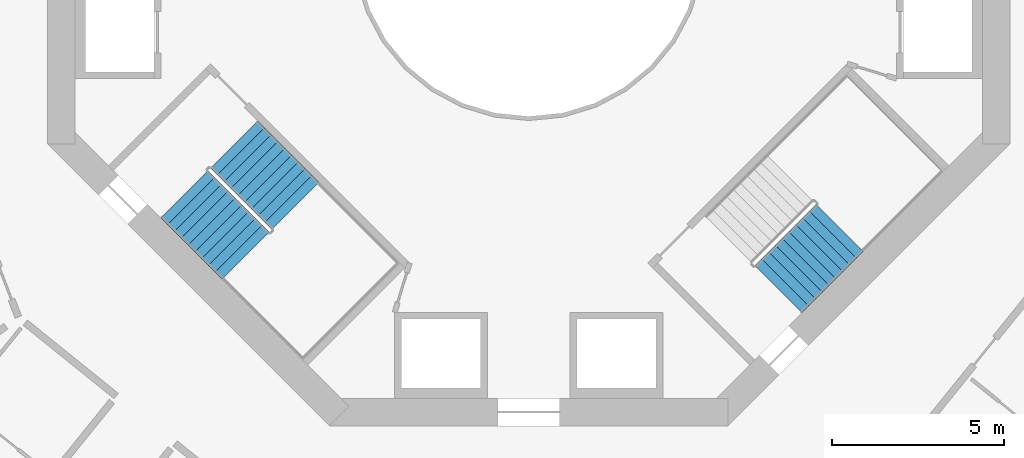
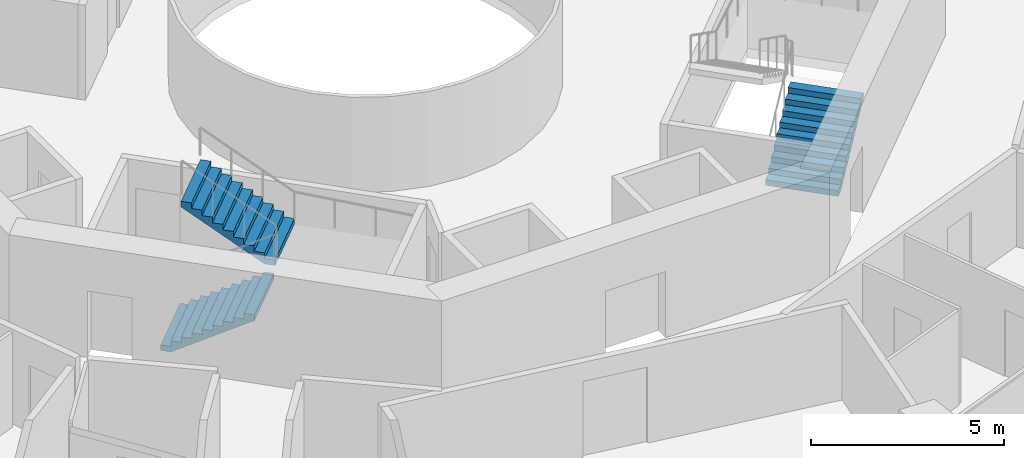
# One storey, part 21 of 23: 3 stair flights, 2 elements without a shape of their own.
"""IFC4 building model written with IfcOpenShell, lengths in metres."""

from ifc_helpers import new_model, si_unit, direction, frame, origin, place, context, subcontext, project, spatial, triangles, material, type_object, element, aggregate, save


model = new_model("IFC4")

# Units and contexts
model_context = context("Model", 3, precision=1e-05, world=origin(), true_north=direction((0.0, 1.0)))
body_context = subcontext(model_context, "Body", "Model", "MODEL_VIEW")
ifc_project = project(units=[si_unit("LENGTHUNIT", "METRE"), si_unit("AREAUNIT", "SQUARE_METRE"), si_unit("VOLUMEUNIT", "CUBIC_METRE"), si_unit("PLANEANGLEUNIT", "RADIAN"), si_unit("MASSUNIT", "GRAM", prefix="KILO")], contexts=[model_context])

# Site, building, storey
site_placement = place(None, origin())
site = spatial("IfcSite", under=ifc_project, at=site_placement, CompositionType="ELEMENT")
building_placement = place(site_placement, origin())
building = spatial("IfcBuilding", under=site, at=building_placement, Name="Verdalira Terraces Hotel", CompositionType="ELEMENT")
storey_placement = place(building_placement, frame((0.0, 0.0, 118.5)))
storey = spatial("IfcBuildingStorey", under=building, at=storey_placement, Name="L28", CompositionType="ELEMENT", Elevation=118.5)

# Stair, stair flights
ifc_material_1 = material(Name="Concrete C40", Category="concrete")
stair_type = type_object("IfcStairType", Name="Core stair 20 risers 1950 mm wide", PredefinedType="HALF_TURN_STAIR", material=ifc_material_1)
stair_1_placement = place(storey_placement, origin())
stair_1 = element("IfcStair", 1, at=stair_1_placement, inside=storey, type_object=stair_type, Name="L28 Exit stair ST2", PredefinedType="HALF_TURN_STAIR")
ifc_material_2 = material(Name="Concrete C40", Category="concrete")
stair_flight_type = type_object("IfcStairFlightType", Name="Core stair flight 20 risers 1950 mm wide", PredefinedType="STRAIGHT", material=ifc_material_2)
stair_flight_1_placement = place(storey_placement, frame((-10.023193, -7.265625, 0.0), z_axis=(0.0, 0.0, 1.0), x_axis=(0.707106781, -0.707106781, 0.0)))
stair_flight_1 = element("IfcStairFlight", 2, at=stair_flight_1_placement, type_object=stair_flight_type, Name="ST2 flight 1", NumberOfRisers=10, NumberOfTreads=9, PredefinedType="STRAIGHT", RiserHeight=0.175, TreadLength=0.28, context=body_context, shape_type="Tessellation", body=[
    triangles([(0.0, 0.974976, 0.0), (0.282715, 0.974976, 0.0), (2.52002, 0.974976, 1.398193), (0.0, -0.974976, 0.0), (0.282715, -0.974976, 0.0), (2.52002, -0.974976, 1.398193), (2.52002, 0.974976, 1.574951), (2.23999, 0.974976, 1.574951), (2.52002, -0.974976, 1.574951), (2.23999, -0.974976, 1.574951), (2.23999, 0.974976, 1.399902), (2.23999, -0.974976, 1.399902), (1.959961, 0.974976, 1.399902), (1.959961, -0.974976, 1.399902), (1.959961, 0.974976, 1.225098), (1.959961, -0.974976, 1.225098), (1.679932, 0.974976, 1.225098), (1.679932, 0.974976, 1.050049), (1.679932, -0.974976, 1.225098), (1.679932, -0.974976, 1.050049), (1.399902, 0.974976, 1.050049), (1.399902, 0.974976, 0.875), (1.399902, -0.974976, 1.050049), (1.399902, -0.974976, 0.875), (1.120117, 0.974976, 0.875), (1.120117, 0.974976, 0.699951), (1.120117, -0.974976, 0.875), (1.120117, -0.974976, 0.699951), (0.840088, 0.974976, 0.699951), (0.840088, 0.974976, 0.524902), (0.840088, -0.974976, 0.699951), (0.840088, -0.974976, 0.524902), (0.560059, 0.974976, 0.524902), (0.560059, 0.974976, 0.350098), (0.560059, -0.974976, 0.524902), (0.560059, -0.974976, 0.350098), (0.280029, 0.974976, 0.350098), (0.280029, 0.974976, 0.175049), (0.280029, -0.974976, 0.350098), (0.280029, -0.974976, 0.175049), (0.0, 0.974976, 0.175049), (0.0, -0.974976, 0.175049), (0.0, -0.91404, 0.0), (0.0, -0.91404, 0.175049), (0.0, -0.853104, 0.0), (0.0, -0.853104, 0.175049), (0.0, -0.792168, 0.0), (0.0, -0.792168, 0.175049), (0.0, -0.731232, 0.0), (0.0, -0.731232, 0.175049), (0.0, -0.670296, 0.0), (0.0, -0.670296, 0.175049), (0.0, -0.60936, 0.0), (0.0, -0.60936, 0.175049), (0.0, -0.548424, 0.0), (0.0, -0.548424, 0.175049), (0.0, -0.487488, 0.0), (0.0, -0.487488, 0.175049), (0.0, -0.426552, 0.0), (0.0, -0.426552, 0.175049), (0.0, -0.365616, 0.0), (0.0, -0.365616, 0.175049), (0.0, -0.30468, 0.0), (0.0, -0.30468, 0.175049), (0.0, -0.243744, 0.0), (0.0, -0.243744, 0.175049), (0.0, -0.182808, 0.0), (0.0, -0.182808, 0.175049), (0.0, -0.121872, 0.0), (0.0, -0.121872, 0.175049), (0.0, -0.060936, 0.0), (0.0, -0.060936, 0.175049), (0.0, 0.0, 0.0), (0.0, 0.0, 0.175049), (0.0, 0.060936, 0.0), (0.0, 0.060936, 0.175049), (0.0, 0.121872, 0.0), (0.0, 0.121872, 0.175049), (0.0, 0.182808, 0.0), (0.0, 0.182808, 0.175049), (0.0, 0.243744, 0.0), (0.0, 0.243744, 0.175049), (0.0, 0.30468, 0.0), (0.0, 0.30468, 0.175049), (0.0, 0.365616, 0.0), (0.0, 0.365616, 0.175049), (0.0, 0.426552, 0.0), (0.0, 0.426552, 0.175049), (0.0, 0.487488, 0.0), (0.0, 0.487488, 0.175049), (0.0, 0.548424, 0.0), (0.0, 0.548424, 0.175049), (0.0, 0.60936, 0.0), (0.0, 0.60936, 0.175049), (0.0, 0.670296, 0.0), (0.0, 0.670296, 0.175049), (0.0, 0.731232, 0.0), (0.0, 0.731232, 0.175049), (0.0, 0.792168, 0.0), (0.0, 0.792168, 0.175049), (0.0, 0.853104, 0.0), (0.0, 0.853104, 0.175049), (0.0, 0.91404, 0.0), (0.0, 0.91404, 0.175049), (2.52002, -0.91404, 1.574951), (2.52002, -0.853104, 1.574951), (2.52002, -0.792168, 1.574951), (2.52002, -0.731232, 1.574951), (2.52002, -0.670296, 1.574951), (2.52002, -0.60936, 1.574951), (2.52002, -0.548424, 1.574951), (2.52002, -0.487488, 1.574951), (2.52002, -0.426552, 1.574951), (2.52002, -0.365616, 1.574951), (2.52002, -0.30468, 1.574951), (2.52002, -0.243744, 1.574951), (2.52002, -0.182808, 1.574951), (2.52002, -0.121872, 1.574951), (2.52002, -0.060936, 1.574951), (2.52002, 0.0, 1.574951), (2.52002, 0.060936, 1.574951), (2.52002, 0.121872, 1.574951), (2.52002, 0.182808, 1.574951), (2.52002, 0.243744, 1.574951), (2.52002, 0.30468, 1.574951), (2.52002, 0.365616, 1.574951), (2.52002, 0.426552, 1.574951), (2.52002, 0.487488, 1.574951), (2.52002, 0.548424, 1.574951), (2.52002, 0.60936, 1.574951), (2.52002, 0.670296, 1.574951), (2.52002, 0.731232, 1.574951), (2.52002, 0.792168, 1.574951), (2.52002, 0.853104, 1.574951), (2.52002, 0.91404, 1.574951), (2.52002, -0.91404, 1.398193), (2.52002, -0.853104, 1.398193), (2.52002, -0.792168, 1.398193), (2.52002, -0.731232, 1.398193), (2.52002, -0.670296, 1.398193), (2.52002, -0.60936, 1.398193), (2.52002, -0.548424, 1.398193), (2.52002, -0.487488, 1.398193), (2.52002, -0.426552, 1.398193), (2.52002, -0.365616, 1.398193), (2.52002, -0.30468, 1.398193), (2.52002, -0.243744, 1.398193), (2.52002, -0.182808, 1.398193), (2.52002, -0.121872, 1.398193), (2.52002, -0.060936, 1.398193), (2.52002, 0.0, 1.398193), (2.52002, 0.060936, 1.398193), (2.52002, 0.121872, 1.398193), (2.52002, 0.182808, 1.398193), (2.52002, 0.243744, 1.398193), (2.52002, 0.30468, 1.398193), (2.52002, 0.365616, 1.398193), (2.52002, 0.426552, 1.398193), (2.52002, 0.487488, 1.398193), (2.52002, 0.548424, 1.398193), (2.52002, 0.60936, 1.398193), (2.52002, 0.670296, 1.398193), (2.52002, 0.731232, 1.398193), (2.52002, 0.792168, 1.398193), (2.52002, 0.853104, 1.398193), (2.52002, 0.91404, 1.398193)], [[1, 3, 2], [4, 5, 6], [3, 8, 7], [6, 9, 10], [3, 11, 8], [6, 10, 12], [3, 13, 11], [6, 12, 14], [3, 15, 13], [6, 14, 16], [15, 18, 17], [16, 19, 20], [3, 18, 15], [6, 16, 20], [18, 22, 21], [20, 23, 24], [3, 22, 18], [6, 20, 24], [22, 26, 25], [24, 27, 28], [3, 26, 22], [6, 24, 28], [26, 30, 29], [28, 31, 32], [3, 30, 26], [6, 28, 32], [1, 30, 3], [4, 6, 32], [30, 34, 33], [32, 35, 36], [34, 38, 37], [36, 39, 40], [30, 38, 34], [32, 36, 40], [1, 38, 30], [4, 32, 40], [38, 1, 41], [40, 42, 4], [4, 44, 43], [4, 42, 44], [43, 46, 45], [43, 44, 46], [45, 48, 47], [45, 46, 48], [47, 50, 49], [47, 48, 50], [49, 52, 51], [49, 50, 52], [51, 54, 53], [51, 52, 54], [53, 56, 55], [53, 54, 56], [55, 58, 57], [55, 56, 58], [57, 60, 59], [57, 58, 60], [59, 62, 61], [59, 60, 62], [61, 64, 63], [61, 62, 64], [63, 66, 65], [63, 64, 66], [65, 68, 67], [65, 66, 68], [67, 70, 69], [67, 68, 70], [69, 72, 71], [69, 70, 72], [71, 74, 73], [71, 72, 74], [73, 76, 75], [73, 74, 76], [75, 78, 77], [75, 76, 78], [77, 80, 79], [77, 78, 80], [79, 82, 81], [79, 80, 82], [81, 84, 83], [81, 82, 84], [83, 86, 85], [83, 84, 86], [85, 88, 87], [85, 86, 88], [87, 90, 89], [87, 88, 90], [89, 92, 91], [89, 90, 92], [91, 94, 93], [91, 92, 94], [93, 96, 95], [93, 94, 96], [95, 98, 97], [95, 96, 98], [97, 100, 99], [97, 98, 100], [99, 102, 101], [99, 100, 102], [101, 104, 103], [101, 102, 104], [103, 41, 1], [103, 104, 41], [42, 40, 44], [44, 40, 46], [46, 40, 48], [48, 40, 50], [50, 40, 52], [52, 40, 54], [54, 40, 56], [56, 40, 58], [58, 40, 60], [60, 40, 62], [62, 40, 64], [64, 40, 66], [66, 40, 68], [68, 40, 70], [70, 40, 72], [72, 40, 74], [74, 40, 76], [76, 40, 78], [78, 40, 80], [80, 40, 82], [82, 40, 84], [84, 40, 86], [86, 40, 88], [88, 40, 90], [90, 40, 92], [92, 40, 94], [94, 40, 96], [96, 40, 98], [98, 40, 100], [100, 40, 102], [102, 40, 104], [104, 40, 41], [41, 40, 38], [40, 37, 38], [40, 39, 37], [39, 34, 37], [39, 36, 34], [36, 33, 34], [36, 35, 33], [35, 30, 33], [35, 32, 30], [32, 29, 30], [32, 31, 29], [31, 26, 29], [31, 28, 26], [28, 25, 26], [28, 27, 25], [27, 22, 25], [27, 24, 22], [24, 21, 22], [24, 23, 21], [23, 18, 21], [23, 20, 18], [20, 17, 18], [20, 19, 17], [19, 15, 17], [19, 16, 15], [16, 13, 15], [16, 14, 13], [14, 11, 13], [14, 12, 11], [12, 8, 11], [12, 10, 8], [9, 105, 10], [105, 106, 10], [106, 107, 10], [107, 108, 10], [108, 109, 10], [109, 110, 10], [110, 111, 10], [111, 112, 10], [112, 113, 10], [113, 114, 10], [114, 115, 10], [115, 116, 10], [116, 117, 10], [117, 118, 10], [118, 119, 10], [119, 120, 10], [120, 121, 10], [121, 122, 10], [122, 123, 10], [123, 124, 10], [124, 125, 10], [125, 126, 10], [126, 127, 10], [127, 128, 10], [128, 129, 10], [129, 130, 10], [130, 131, 10], [131, 132, 10], [132, 133, 10], [133, 134, 10], [134, 135, 10], [135, 7, 10], [7, 8, 10], [9, 136, 105], [9, 6, 136], [105, 137, 106], [105, 136, 137], [106, 138, 107], [106, 137, 138], [107, 139, 108], [107, 138, 139], [108, 140, 109], [108, 139, 140], [109, 141, 110], [109, 140, 141], [110, 142, 111], [110, 141, 142], [111, 143, 112], [111, 142, 143], [112, 144, 113], [112, 143, 144], [113, 145, 114], [113, 144, 145], [114, 146, 115], [114, 145, 146], [115, 147, 116], [115, 146, 147], [116, 148, 117], [116, 147, 148], [117, 149, 118], [117, 148, 149], [118, 150, 119], [118, 149, 150], [119, 151, 120], [119, 150, 151], [120, 152, 121], [120, 151, 152], [121, 153, 122], [121, 152, 153], [122, 154, 123], [122, 153, 154], [123, 155, 124], [123, 154, 155], [124, 156, 125], [124, 155, 156], [125, 157, 126], [125, 156, 157], [126, 158, 127], [126, 157, 158], [127, 159, 128], [127, 158, 159], [128, 160, 129], [128, 159, 160], [129, 161, 130], [129, 160, 161], [130, 162, 131], [130, 161, 162], [131, 163, 132], [131, 162, 163], [132, 164, 133], [132, 163, 164], [133, 165, 134], [133, 164, 165], [134, 166, 135], [134, 165, 166], [135, 3, 7], [135, 166, 3], [6, 5, 136], [136, 5, 137], [137, 5, 138], [138, 5, 139], [139, 5, 140], [140, 5, 141], [141, 5, 142], [142, 5, 143], [143, 5, 144], [144, 5, 145], [145, 5, 146], [146, 5, 147], [147, 5, 148], [148, 5, 149], [149, 5, 150], [150, 5, 151], [151, 5, 152], [152, 5, 153], [153, 5, 154], [154, 5, 155], [155, 5, 156], [156, 5, 157], [157, 5, 158], [158, 5, 159], [159, 5, 160], [160, 5, 161], [161, 5, 162], [162, 5, 163], [163, 5, 164], [164, 5, 165], [165, 5, 166], [166, 5, 3], [3, 5, 2], [4, 43, 5], [43, 45, 5], [45, 47, 5], [47, 49, 5], [49, 51, 5], [51, 53, 5], [53, 55, 5], [55, 57, 5], [57, 59, 5], [59, 61, 5], [61, 63, 5], [63, 65, 5], [65, 67, 5], [67, 69, 5], [69, 71, 5], [71, 73, 5], [73, 75, 5], [75, 77, 5], [77, 79, 5], [79, 81, 5], [81, 83, 5], [83, 85, 5], [85, 87, 5], [87, 89, 5], [89, 91, 5], [91, 93, 5], [93, 95, 5], [95, 97, 5], [97, 99, 5], [99, 101, 5], [101, 103, 5], [103, 1, 5], [1, 2, 5]], closed=True),
])
stair_flight_2_placement = place(storey_placement, frame((-6.791748, -7.5979, 1.75), z_axis=(0.0, 0.0, 1.0), x_axis=(-0.707106781, 0.707106781, 0.0)))
stair_flight_2 = element("IfcStairFlight", 3, at=stair_flight_2_placement, type_object=stair_flight_type, Name="ST2 flight 2", NumberOfRisers=10, NumberOfTreads=9, PredefinedType="STRAIGHT", RiserHeight=0.175, TreadLength=0.28, context=body_context, shape_type="Tessellation", body=[
    triangles([(0.0, 0.974976, 0.0), (0.282715, 0.974976, 0.0), (2.52002, 0.974976, 1.398193), (0.0, -0.974976, 0.0), (0.282715, -0.974976, 0.0), (2.52002, -0.974976, 1.398193), (2.52002, 0.974976, 1.574951), (2.23999, 0.974976, 1.574951), (2.52002, -0.974976, 1.574951), (2.23999, -0.974976, 1.574951), (2.23999, 0.974976, 1.399902), (2.23999, -0.974976, 1.399902), (1.959961, 0.974976, 1.399902), (1.959961, -0.974976, 1.399902), (1.959961, 0.974976, 1.225098), (1.959961, -0.974976, 1.225098), (1.679932, 0.974976, 1.225098), (1.679932, 0.974976, 1.050049), (1.679932, -0.974976, 1.225098), (1.679932, -0.974976, 1.050049), (1.399902, 0.974976, 1.050049), (1.399902, 0.974976, 0.875), (1.399902, -0.974976, 1.050049), (1.399902, -0.974976, 0.875), (1.120117, 0.974976, 0.875), (1.120117, 0.974976, 0.699951), (1.120117, -0.974976, 0.875), (1.120117, -0.974976, 0.699951), (0.840088, 0.974976, 0.699951), (0.840088, 0.974976, 0.524902), (0.840088, -0.974976, 0.699951), (0.840088, -0.974976, 0.524902), (0.560059, 0.974976, 0.524902), (0.560059, 0.974976, 0.350098), (0.560059, -0.974976, 0.524902), (0.560059, -0.974976, 0.350098), (0.280029, 0.974976, 0.350098), (0.280029, 0.974976, 0.175049), (0.280029, -0.974976, 0.350098), (0.280029, -0.974976, 0.175049), (0.0, 0.974976, 0.175049), (0.0, -0.974976, 0.175049), (0.0, -0.91404, 0.0), (0.0, -0.91404, 0.175049), (0.0, -0.853104, 0.0), (0.0, -0.853104, 0.175049), (0.0, -0.792168, 0.0), (0.0, -0.792168, 0.175049), (0.0, -0.731232, 0.0), (0.0, -0.731232, 0.175049), (0.0, -0.670296, 0.0), (0.0, -0.670296, 0.175049), (0.0, -0.60936, 0.0), (0.0, -0.60936, 0.175049), (0.0, -0.548424, 0.0), (0.0, -0.548424, 0.175049), (0.0, -0.487488, 0.0), (0.0, -0.487488, 0.175049), (0.0, -0.426552, 0.0), (0.0, -0.426552, 0.175049), (0.0, -0.365616, 0.0), (0.0, -0.365616, 0.175049), (0.0, -0.30468, 0.0), (0.0, -0.30468, 0.175049), (0.0, -0.243744, 0.0), (0.0, -0.243744, 0.175049), (0.0, -0.182808, 0.0), (0.0, -0.182808, 0.175049), (0.0, -0.121872, 0.0), (0.0, -0.121872, 0.175049), (0.0, -0.060936, 0.0), (0.0, -0.060936, 0.175049), (0.0, 0.0, 0.0), (0.0, 0.0, 0.175049), (0.0, 0.060936, 0.0), (0.0, 0.060936, 0.175049), (0.0, 0.121872, 0.0), (0.0, 0.121872, 0.175049), (0.0, 0.182808, 0.0), (0.0, 0.182808, 0.175049), (0.0, 0.243744, 0.0), (0.0, 0.243744, 0.175049), (0.0, 0.30468, 0.0), (0.0, 0.30468, 0.175049), (0.0, 0.365616, 0.0), (0.0, 0.365616, 0.175049), (0.0, 0.426552, 0.0), (0.0, 0.426552, 0.175049), (0.0, 0.487488, 0.0), (0.0, 0.487488, 0.175049), (0.0, 0.548424, 0.0), (0.0, 0.548424, 0.175049), (0.0, 0.60936, 0.0), (0.0, 0.60936, 0.175049), (0.0, 0.670296, 0.0), (0.0, 0.670296, 0.175049), (0.0, 0.731232, 0.0), (0.0, 0.731232, 0.175049), (0.0, 0.792168, 0.0), (0.0, 0.792168, 0.175049), (0.0, 0.853104, 0.0), (0.0, 0.853104, 0.175049), (0.0, 0.91404, 0.0), (0.0, 0.91404, 0.175049), (2.52002, -0.91404, 1.574951), (2.52002, -0.853104, 1.574951), (2.52002, -0.792168, 1.574951), (2.52002, -0.731232, 1.574951), (2.52002, -0.670296, 1.574951), (2.52002, -0.60936, 1.574951), (2.52002, -0.548424, 1.574951), (2.52002, -0.487488, 1.574951), (2.52002, -0.426552, 1.574951), (2.52002, -0.365616, 1.574951), (2.52002, -0.30468, 1.574951), (2.52002, -0.243744, 1.574951), (2.52002, -0.182808, 1.574951), (2.52002, -0.121872, 1.574951), (2.52002, -0.060936, 1.574951), (2.52002, 0.0, 1.574951), (2.52002, 0.060936, 1.574951), (2.52002, 0.121872, 1.574951), (2.52002, 0.182808, 1.574951), (2.52002, 0.243744, 1.574951), (2.52002, 0.30468, 1.574951), (2.52002, 0.365616, 1.574951), (2.52002, 0.426552, 1.574951), (2.52002, 0.487488, 1.574951), (2.52002, 0.548424, 1.574951), (2.52002, 0.60936, 1.574951), (2.52002, 0.670296, 1.574951), (2.52002, 0.731232, 1.574951), (2.52002, 0.792168, 1.574951), (2.52002, 0.853104, 1.574951), (2.52002, 0.91404, 1.574951), (2.52002, -0.91404, 1.398193), (2.52002, -0.853104, 1.398193), (2.52002, -0.792168, 1.398193), (2.52002, -0.731232, 1.398193), (2.52002, -0.670296, 1.398193), (2.52002, -0.60936, 1.398193), (2.52002, -0.548424, 1.398193), (2.52002, -0.487488, 1.398193), (2.52002, -0.426552, 1.398193), (2.52002, -0.365616, 1.398193), (2.52002, -0.30468, 1.398193), (2.52002, -0.243744, 1.398193), (2.52002, -0.182808, 1.398193), (2.52002, -0.121872, 1.398193), (2.52002, -0.060936, 1.398193), (2.52002, 0.0, 1.398193), (2.52002, 0.060936, 1.398193), (2.52002, 0.121872, 1.398193), (2.52002, 0.182808, 1.398193), (2.52002, 0.243744, 1.398193), (2.52002, 0.30468, 1.398193), (2.52002, 0.365616, 1.398193), (2.52002, 0.426552, 1.398193), (2.52002, 0.487488, 1.398193), (2.52002, 0.548424, 1.398193), (2.52002, 0.60936, 1.398193), (2.52002, 0.670296, 1.398193), (2.52002, 0.731232, 1.398193), (2.52002, 0.792168, 1.398193), (2.52002, 0.853104, 1.398193), (2.52002, 0.91404, 1.398193)], [[1, 3, 2], [4, 5, 6], [3, 8, 7], [6, 9, 10], [3, 11, 8], [6, 10, 12], [3, 13, 11], [6, 12, 14], [3, 15, 13], [6, 14, 16], [15, 18, 17], [16, 19, 20], [3, 18, 15], [6, 16, 20], [18, 22, 21], [20, 23, 24], [3, 22, 18], [6, 20, 24], [22, 26, 25], [24, 27, 28], [3, 26, 22], [6, 24, 28], [26, 30, 29], [28, 31, 32], [3, 30, 26], [6, 28, 32], [1, 30, 3], [4, 6, 32], [30, 34, 33], [32, 35, 36], [34, 38, 37], [36, 39, 40], [30, 38, 34], [32, 36, 40], [1, 38, 30], [4, 32, 40], [38, 1, 41], [40, 42, 4], [4, 44, 43], [4, 42, 44], [43, 46, 45], [43, 44, 46], [45, 48, 47], [45, 46, 48], [47, 50, 49], [47, 48, 50], [49, 52, 51], [49, 50, 52], [51, 54, 53], [51, 52, 54], [53, 56, 55], [53, 54, 56], [55, 58, 57], [55, 56, 58], [57, 60, 59], [57, 58, 60], [59, 62, 61], [59, 60, 62], [61, 64, 63], [61, 62, 64], [63, 66, 65], [63, 64, 66], [65, 68, 67], [65, 66, 68], [67, 70, 69], [67, 68, 70], [69, 72, 71], [69, 70, 72], [71, 74, 73], [71, 72, 74], [73, 76, 75], [73, 74, 76], [75, 78, 77], [75, 76, 78], [77, 80, 79], [77, 78, 80], [79, 82, 81], [79, 80, 82], [81, 84, 83], [81, 82, 84], [83, 86, 85], [83, 84, 86], [85, 88, 87], [85, 86, 88], [87, 90, 89], [87, 88, 90], [89, 92, 91], [89, 90, 92], [91, 94, 93], [91, 92, 94], [93, 96, 95], [93, 94, 96], [95, 98, 97], [95, 96, 98], [97, 100, 99], [97, 98, 100], [99, 102, 101], [99, 100, 102], [101, 104, 103], [101, 102, 104], [103, 41, 1], [103, 104, 41], [42, 40, 44], [44, 40, 46], [46, 40, 48], [48, 40, 50], [50, 40, 52], [52, 40, 54], [54, 40, 56], [56, 40, 58], [58, 40, 60], [60, 40, 62], [62, 40, 64], [64, 40, 66], [66, 40, 68], [68, 40, 70], [70, 40, 72], [72, 40, 74], [74, 40, 76], [76, 40, 78], [78, 40, 80], [80, 40, 82], [82, 40, 84], [84, 40, 86], [86, 40, 88], [88, 40, 90], [90, 40, 92], [92, 40, 94], [94, 40, 96], [96, 40, 98], [98, 40, 100], [100, 40, 102], [102, 40, 104], [104, 40, 41], [41, 40, 38], [40, 37, 38], [40, 39, 37], [39, 34, 37], [39, 36, 34], [36, 33, 34], [36, 35, 33], [35, 30, 33], [35, 32, 30], [32, 29, 30], [32, 31, 29], [31, 26, 29], [31, 28, 26], [28, 25, 26], [28, 27, 25], [27, 22, 25], [27, 24, 22], [24, 21, 22], [24, 23, 21], [23, 18, 21], [23, 20, 18], [20, 17, 18], [20, 19, 17], [19, 15, 17], [19, 16, 15], [16, 13, 15], [16, 14, 13], [14, 11, 13], [14, 12, 11], [12, 8, 11], [12, 10, 8], [9, 105, 10], [105, 106, 10], [106, 107, 10], [107, 108, 10], [108, 109, 10], [109, 110, 10], [110, 111, 10], [111, 112, 10], [112, 113, 10], [113, 114, 10], [114, 115, 10], [115, 116, 10], [116, 117, 10], [117, 118, 10], [118, 119, 10], [119, 120, 10], [120, 121, 10], [121, 122, 10], [122, 123, 10], [123, 124, 10], [124, 125, 10], [125, 126, 10], [126, 127, 10], [127, 128, 10], [128, 129, 10], [129, 130, 10], [130, 131, 10], [131, 132, 10], [132, 133, 10], [133, 134, 10], [134, 135, 10], [135, 7, 10], [7, 8, 10], [9, 136, 105], [9, 6, 136], [105, 137, 106], [105, 136, 137], [106, 138, 107], [106, 137, 138], [107, 139, 108], [107, 138, 139], [108, 140, 109], [108, 139, 140], [109, 141, 110], [109, 140, 141], [110, 142, 111], [110, 141, 142], [111, 143, 112], [111, 142, 143], [112, 144, 113], [112, 143, 144], [113, 145, 114], [113, 144, 145], [114, 146, 115], [114, 145, 146], [115, 147, 116], [115, 146, 147], [116, 148, 117], [116, 147, 148], [117, 149, 118], [117, 148, 149], [118, 150, 119], [118, 149, 150], [119, 151, 120], [119, 150, 151], [120, 152, 121], [120, 151, 152], [121, 153, 122], [121, 152, 153], [122, 154, 123], [122, 153, 154], [123, 155, 124], [123, 154, 155], [124, 156, 125], [124, 155, 156], [125, 157, 126], [125, 156, 157], [126, 158, 127], [126, 157, 158], [127, 159, 128], [127, 158, 159], [128, 160, 129], [128, 159, 160], [129, 161, 130], [129, 160, 161], [130, 162, 131], [130, 161, 162], [131, 163, 132], [131, 162, 163], [132, 164, 133], [132, 163, 164], [133, 165, 134], [133, 164, 165], [134, 166, 135], [134, 165, 166], [135, 3, 7], [135, 166, 3], [6, 5, 136], [136, 5, 137], [137, 5, 138], [138, 5, 139], [139, 5, 140], [140, 5, 141], [141, 5, 142], [142, 5, 143], [143, 5, 144], [144, 5, 145], [145, 5, 146], [146, 5, 147], [147, 5, 148], [148, 5, 149], [149, 5, 150], [150, 5, 151], [151, 5, 152], [152, 5, 153], [153, 5, 154], [154, 5, 155], [155, 5, 156], [156, 5, 157], [157, 5, 158], [158, 5, 159], [159, 5, 160], [160, 5, 161], [161, 5, 162], [162, 5, 163], [163, 5, 164], [164, 5, 165], [165, 5, 166], [166, 5, 3], [3, 5, 2], [4, 43, 5], [43, 45, 5], [45, 47, 5], [47, 49, 5], [49, 51, 5], [51, 53, 5], [53, 55, 5], [55, 57, 5], [57, 59, 5], [59, 61, 5], [61, 63, 5], [63, 65, 5], [65, 67, 5], [67, 69, 5], [69, 71, 5], [71, 73, 5], [73, 75, 5], [75, 77, 5], [77, 79, 5], [79, 81, 5], [81, 83, 5], [83, 85, 5], [85, 87, 5], [87, 89, 5], [89, 91, 5], [91, 93, 5], [93, 95, 5], [95, 97, 5], [97, 99, 5], [99, 101, 5], [101, 103, 5], [103, 1, 5], [1, 2, 5]], closed=True),
])
aggregate(stair_1, [stair_flight_1, stair_flight_2])

# Stair, stair flight
stair_2_placement = place(storey_placement, origin())
stair_2 = element("IfcStair", 4, at=stair_2_placement, inside=storey, type_object=stair_type, Name="L28 Exit stair ST3", PredefinedType="HALF_TURN_STAIR")
stair_flight_3_placement = place(storey_placement, frame((7.265625, -10.023193, 0.0), z_axis=(0.0, 0.0, 1.0), x_axis=(0.707106781, 0.707106781, 0.0)))
stair_flight_3 = element("IfcStairFlight", 5, at=stair_flight_3_placement, type_object=stair_flight_type, Name="ST3 flight 1", NumberOfRisers=10, NumberOfTreads=9, PredefinedType="STRAIGHT", RiserHeight=0.175, TreadLength=0.28, context=body_context, shape_type="Tessellation", body=[
    triangles([(0.0, 0.974976, 0.0), (0.282715, 0.974976, 0.0), (2.52002, 0.974976, 1.398193), (0.0, -0.974976, 0.0), (0.282715, -0.974976, 0.0), (2.52002, -0.974976, 1.398193), (2.52002, 0.974976, 1.574951), (2.23999, 0.974976, 1.574951), (2.52002, -0.974976, 1.574951), (2.23999, -0.974976, 1.574951), (2.23999, 0.974976, 1.399902), (2.23999, -0.974976, 1.399902), (1.959961, 0.974976, 1.399902), (1.959961, -0.974976, 1.399902), (1.959961, 0.974976, 1.225098), (1.959961, -0.974976, 1.225098), (1.679932, 0.974976, 1.225098), (1.679932, 0.974976, 1.050049), (1.679932, -0.974976, 1.225098), (1.679932, -0.974976, 1.050049), (1.399902, 0.974976, 1.050049), (1.399902, 0.974976, 0.875), (1.399902, -0.974976, 1.050049), (1.399902, -0.974976, 0.875), (1.120117, 0.974976, 0.875), (1.120117, 0.974976, 0.699951), (1.120117, -0.974976, 0.875), (1.120117, -0.974976, 0.699951), (0.840088, 0.974976, 0.699951), (0.840088, 0.974976, 0.524902), (0.840088, -0.974976, 0.699951), (0.840088, -0.974976, 0.524902), (0.560059, 0.974976, 0.524902), (0.560059, 0.974976, 0.350098), (0.560059, -0.974976, 0.524902), (0.560059, -0.974976, 0.350098), (0.280029, 0.974976, 0.350098), (0.280029, 0.974976, 0.175049), (0.280029, -0.974976, 0.350098), (0.280029, -0.974976, 0.175049), (0.0, 0.974976, 0.175049), (0.0, -0.974976, 0.175049), (0.0, -0.91404, 0.0), (0.0, -0.91404, 0.175049), (0.0, -0.853104, 0.0), (0.0, -0.853104, 0.175049), (0.0, -0.792168, 0.0), (0.0, -0.792168, 0.175049), (0.0, -0.731232, 0.0), (0.0, -0.731232, 0.175049), (0.0, -0.670296, 0.0), (0.0, -0.670296, 0.175049), (0.0, -0.60936, 0.0), (0.0, -0.60936, 0.175049), (0.0, -0.548424, 0.0), (0.0, -0.548424, 0.175049), (0.0, -0.487488, 0.0), (0.0, -0.487488, 0.175049), (0.0, -0.426552, 0.0), (0.0, -0.426552, 0.175049), (0.0, -0.365616, 0.0), (0.0, -0.365616, 0.175049), (0.0, -0.30468, 0.0), (0.0, -0.30468, 0.175049), (0.0, -0.243744, 0.0), (0.0, -0.243744, 0.175049), (0.0, -0.182808, 0.0), (0.0, -0.182808, 0.175049), (0.0, -0.121872, 0.0), (0.0, -0.121872, 0.175049), (0.0, -0.060936, 0.0), (0.0, -0.060936, 0.175049), (0.0, 0.0, 0.0), (0.0, 0.0, 0.175049), (0.0, 0.060936, 0.0), (0.0, 0.060936, 0.175049), (0.0, 0.121872, 0.0), (0.0, 0.121872, 0.175049), (0.0, 0.182808, 0.0), (0.0, 0.182808, 0.175049), (0.0, 0.243744, 0.0), (0.0, 0.243744, 0.175049), (0.0, 0.30468, 0.0), (0.0, 0.30468, 0.175049), (0.0, 0.365616, 0.0), (0.0, 0.365616, 0.175049), (0.0, 0.426552, 0.0), (0.0, 0.426552, 0.175049), (0.0, 0.487488, 0.0), (0.0, 0.487488, 0.175049), (0.0, 0.548424, 0.0), (0.0, 0.548424, 0.175049), (0.0, 0.60936, 0.0), (0.0, 0.60936, 0.175049), (0.0, 0.670296, 0.0), (0.0, 0.670296, 0.175049), (0.0, 0.731232, 0.0), (0.0, 0.731232, 0.175049), (0.0, 0.792168, 0.0), (0.0, 0.792168, 0.175049), (0.0, 0.853104, 0.0), (0.0, 0.853104, 0.175049), (0.0, 0.91404, 0.0), (0.0, 0.91404, 0.175049), (2.52002, -0.91404, 1.574951), (2.52002, -0.853104, 1.574951), (2.52002, -0.792168, 1.574951), (2.52002, -0.731232, 1.574951), (2.52002, -0.670296, 1.574951), (2.52002, -0.60936, 1.574951), (2.52002, -0.548424, 1.574951), (2.52002, -0.487488, 1.574951), (2.52002, -0.426552, 1.574951), (2.52002, -0.365616, 1.574951), (2.52002, -0.30468, 1.574951), (2.52002, -0.243744, 1.574951), (2.52002, -0.182808, 1.574951), (2.52002, -0.121872, 1.574951), (2.52002, -0.060936, 1.574951), (2.52002, 0.0, 1.574951), (2.52002, 0.060936, 1.574951), (2.52002, 0.121872, 1.574951), (2.52002, 0.182808, 1.574951), (2.52002, 0.243744, 1.574951), (2.52002, 0.30468, 1.574951), (2.52002, 0.365616, 1.574951), (2.52002, 0.426552, 1.574951), (2.52002, 0.487488, 1.574951), (2.52002, 0.548424, 1.574951), (2.52002, 0.60936, 1.574951), (2.52002, 0.670296, 1.574951), (2.52002, 0.731232, 1.574951), (2.52002, 0.792168, 1.574951), (2.52002, 0.853104, 1.574951), (2.52002, 0.91404, 1.574951), (2.52002, -0.91404, 1.398193), (2.52002, -0.853104, 1.398193), (2.52002, -0.792168, 1.398193), (2.52002, -0.731232, 1.398193), (2.52002, -0.670296, 1.398193), (2.52002, -0.60936, 1.398193), (2.52002, -0.548424, 1.398193), (2.52002, -0.487488, 1.398193), (2.52002, -0.426552, 1.398193), (2.52002, -0.365616, 1.398193), (2.52002, -0.30468, 1.398193), (2.52002, -0.243744, 1.398193), (2.52002, -0.182808, 1.398193), (2.52002, -0.121872, 1.398193), (2.52002, -0.060936, 1.398193), (2.52002, 0.0, 1.398193), (2.52002, 0.060936, 1.398193), (2.52002, 0.121872, 1.398193), (2.52002, 0.182808, 1.398193), (2.52002, 0.243744, 1.398193), (2.52002, 0.30468, 1.398193), (2.52002, 0.365616, 1.398193), (2.52002, 0.426552, 1.398193), (2.52002, 0.487488, 1.398193), (2.52002, 0.548424, 1.398193), (2.52002, 0.60936, 1.398193), (2.52002, 0.670296, 1.398193), (2.52002, 0.731232, 1.398193), (2.52002, 0.792168, 1.398193), (2.52002, 0.853104, 1.398193), (2.52002, 0.91404, 1.398193)], [[1, 3, 2], [4, 5, 6], [3, 8, 7], [6, 9, 10], [3, 11, 8], [6, 10, 12], [3, 13, 11], [6, 12, 14], [3, 15, 13], [6, 14, 16], [15, 18, 17], [16, 19, 20], [3, 18, 15], [6, 16, 20], [18, 22, 21], [20, 23, 24], [3, 22, 18], [6, 20, 24], [22, 26, 25], [24, 27, 28], [3, 26, 22], [6, 24, 28], [26, 30, 29], [28, 31, 32], [3, 30, 26], [6, 28, 32], [1, 30, 3], [4, 6, 32], [30, 34, 33], [32, 35, 36], [34, 38, 37], [36, 39, 40], [30, 38, 34], [32, 36, 40], [1, 38, 30], [4, 32, 40], [38, 1, 41], [40, 42, 4], [4, 44, 43], [4, 42, 44], [43, 46, 45], [43, 44, 46], [45, 48, 47], [45, 46, 48], [47, 50, 49], [47, 48, 50], [49, 52, 51], [49, 50, 52], [51, 54, 53], [51, 52, 54], [53, 56, 55], [53, 54, 56], [55, 58, 57], [55, 56, 58], [57, 60, 59], [57, 58, 60], [59, 62, 61], [59, 60, 62], [61, 64, 63], [61, 62, 64], [63, 66, 65], [63, 64, 66], [65, 68, 67], [65, 66, 68], [67, 70, 69], [67, 68, 70], [69, 72, 71], [69, 70, 72], [71, 74, 73], [71, 72, 74], [73, 76, 75], [73, 74, 76], [75, 78, 77], [75, 76, 78], [77, 80, 79], [77, 78, 80], [79, 82, 81], [79, 80, 82], [81, 84, 83], [81, 82, 84], [83, 86, 85], [83, 84, 86], [85, 88, 87], [85, 86, 88], [87, 90, 89], [87, 88, 90], [89, 92, 91], [89, 90, 92], [91, 94, 93], [91, 92, 94], [93, 96, 95], [93, 94, 96], [95, 98, 97], [95, 96, 98], [97, 100, 99], [97, 98, 100], [99, 102, 101], [99, 100, 102], [101, 104, 103], [101, 102, 104], [103, 41, 1], [103, 104, 41], [42, 40, 44], [44, 40, 46], [46, 40, 48], [48, 40, 50], [50, 40, 52], [52, 40, 54], [54, 40, 56], [56, 40, 58], [58, 40, 60], [60, 40, 62], [62, 40, 64], [64, 40, 66], [66, 40, 68], [68, 40, 70], [70, 40, 72], [72, 40, 74], [74, 40, 76], [76, 40, 78], [78, 40, 80], [80, 40, 82], [82, 40, 84], [84, 40, 86], [86, 40, 88], [88, 40, 90], [90, 40, 92], [92, 40, 94], [94, 40, 96], [96, 40, 98], [98, 40, 100], [100, 40, 102], [102, 40, 104], [104, 40, 41], [41, 40, 38], [40, 37, 38], [40, 39, 37], [39, 34, 37], [39, 36, 34], [36, 33, 34], [36, 35, 33], [35, 30, 33], [35, 32, 30], [32, 29, 30], [32, 31, 29], [31, 26, 29], [31, 28, 26], [28, 25, 26], [28, 27, 25], [27, 22, 25], [27, 24, 22], [24, 21, 22], [24, 23, 21], [23, 18, 21], [23, 20, 18], [20, 17, 18], [20, 19, 17], [19, 15, 17], [19, 16, 15], [16, 13, 15], [16, 14, 13], [14, 11, 13], [14, 12, 11], [12, 8, 11], [12, 10, 8], [9, 105, 10], [105, 106, 10], [106, 107, 10], [107, 108, 10], [108, 109, 10], [109, 110, 10], [110, 111, 10], [111, 112, 10], [112, 113, 10], [113, 114, 10], [114, 115, 10], [115, 116, 10], [116, 117, 10], [117, 118, 10], [118, 119, 10], [119, 120, 10], [120, 121, 10], [121, 122, 10], [122, 123, 10], [123, 124, 10], [124, 125, 10], [125, 126, 10], [126, 127, 10], [127, 128, 10], [128, 129, 10], [129, 130, 10], [130, 131, 10], [131, 132, 10], [132, 133, 10], [133, 134, 10], [134, 135, 10], [135, 7, 10], [7, 8, 10], [9, 136, 105], [9, 6, 136], [105, 137, 106], [105, 136, 137], [106, 138, 107], [106, 137, 138], [107, 139, 108], [107, 138, 139], [108, 140, 109], [108, 139, 140], [109, 141, 110], [109, 140, 141], [110, 142, 111], [110, 141, 142], [111, 143, 112], [111, 142, 143], [112, 144, 113], [112, 143, 144], [113, 145, 114], [113, 144, 145], [114, 146, 115], [114, 145, 146], [115, 147, 116], [115, 146, 147], [116, 148, 117], [116, 147, 148], [117, 149, 118], [117, 148, 149], [118, 150, 119], [118, 149, 150], [119, 151, 120], [119, 150, 151], [120, 152, 121], [120, 151, 152], [121, 153, 122], [121, 152, 153], [122, 154, 123], [122, 153, 154], [123, 155, 124], [123, 154, 155], [124, 156, 125], [124, 155, 156], [125, 157, 126], [125, 156, 157], [126, 158, 127], [126, 157, 158], [127, 159, 128], [127, 158, 159], [128, 160, 129], [128, 159, 160], [129, 161, 130], [129, 160, 161], [130, 162, 131], [130, 161, 162], [131, 163, 132], [131, 162, 163], [132, 164, 133], [132, 163, 164], [133, 165, 134], [133, 164, 165], [134, 166, 135], [134, 165, 166], [135, 3, 7], [135, 166, 3], [6, 5, 136], [136, 5, 137], [137, 5, 138], [138, 5, 139], [139, 5, 140], [140, 5, 141], [141, 5, 142], [142, 5, 143], [143, 5, 144], [144, 5, 145], [145, 5, 146], [146, 5, 147], [147, 5, 148], [148, 5, 149], [149, 5, 150], [150, 5, 151], [151, 5, 152], [152, 5, 153], [153, 5, 154], [154, 5, 155], [155, 5, 156], [156, 5, 157], [157, 5, 158], [158, 5, 159], [159, 5, 160], [160, 5, 161], [161, 5, 162], [162, 5, 163], [163, 5, 164], [164, 5, 165], [165, 5, 166], [166, 5, 3], [3, 5, 2], [4, 43, 5], [43, 45, 5], [45, 47, 5], [47, 49, 5], [49, 51, 5], [51, 53, 5], [53, 55, 5], [55, 57, 5], [57, 59, 5], [59, 61, 5], [61, 63, 5], [63, 65, 5], [65, 67, 5], [67, 69, 5], [69, 71, 5], [71, 73, 5], [73, 75, 5], [75, 77, 5], [77, 79, 5], [79, 81, 5], [81, 83, 5], [83, 85, 5], [85, 87, 5], [87, 89, 5], [89, 91, 5], [91, 93, 5], [93, 95, 5], [95, 97, 5], [97, 99, 5], [99, 101, 5], [101, 103, 5], [103, 1, 5], [1, 2, 5]], closed=True),
])
aggregate(stair_2, [stair_flight_3])

save(model, "model.ifc")
